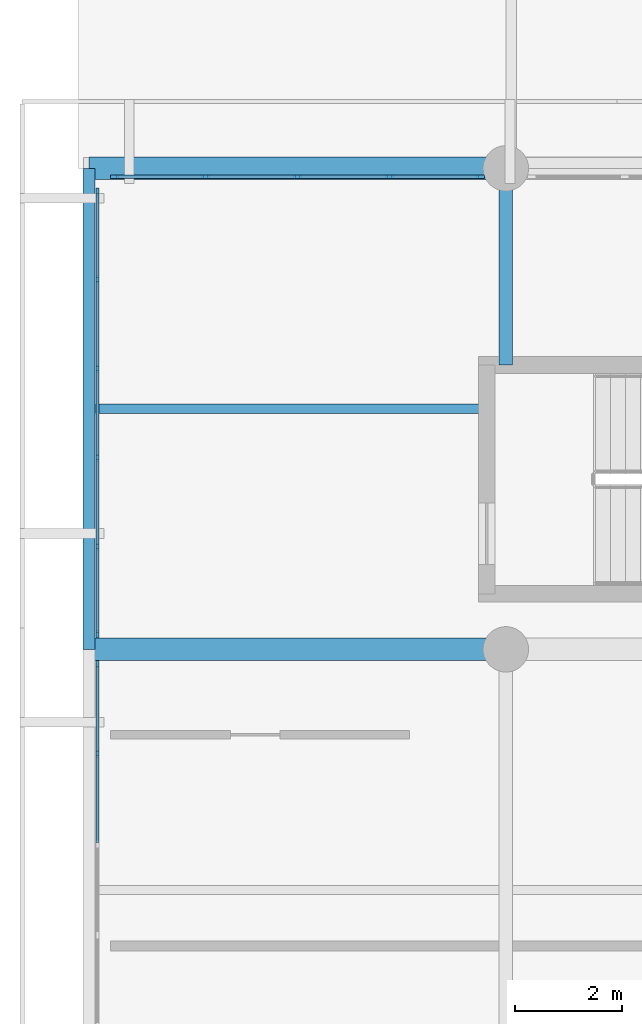
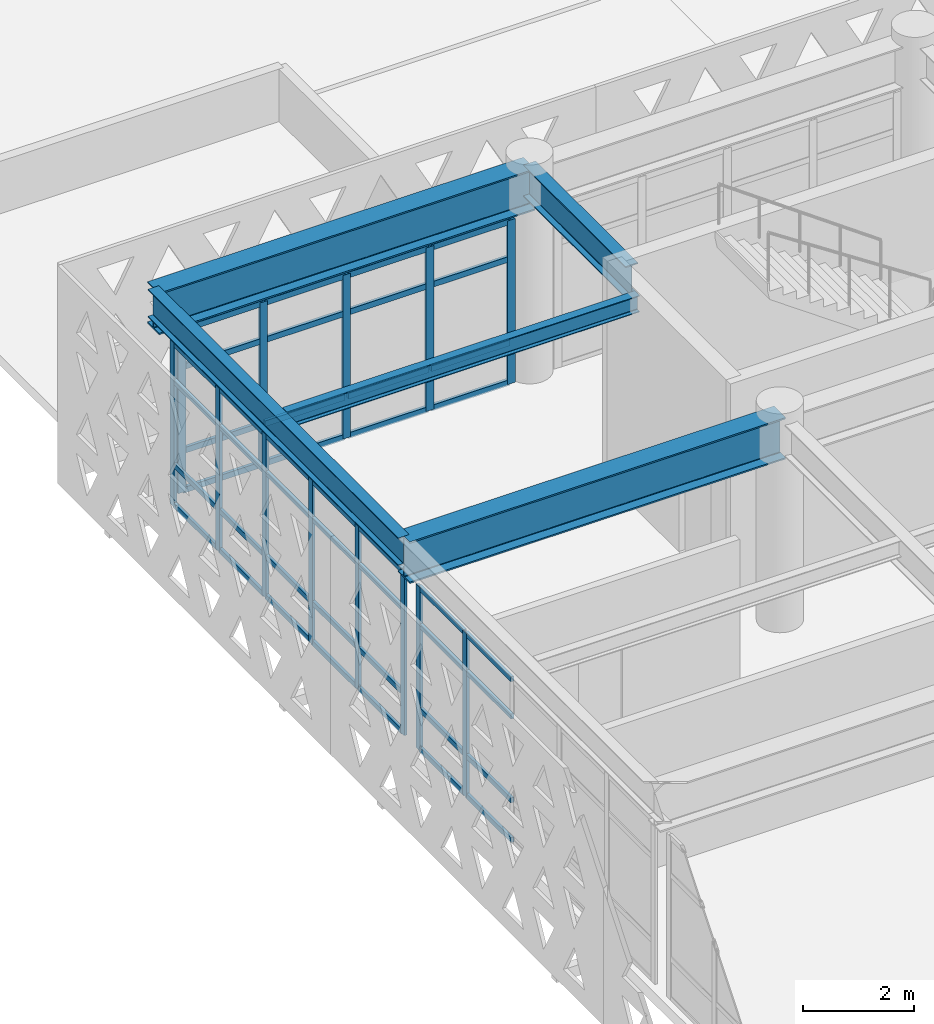
# One storey, part 9 of 54: 57 members, 5 beams, 3 elements without a shape of their own.
"""IFC4 building model written with IfcOpenShell, lengths in metres."""

from ifc_helpers import new_model, si_unit, direction, frame, origin, origin_2d, place, context, subcontext, project, spatial, rectangle, i_section, extrude, material, layer, layer_set, material_profile, profile_set, type_object, element, aggregate, save


model = new_model("IFC4")

# Units and contexts
model_context = context("Model", 3, precision=1e-05, world=origin(), true_north=direction((0.0, 1.0)))
body_context = subcontext(model_context, "Body", "Model", "MODEL_VIEW")
ifc_project = project(units=[si_unit("LENGTHUNIT", "METRE"), si_unit("AREAUNIT", "SQUARE_METRE"), si_unit("VOLUMEUNIT", "CUBIC_METRE"), si_unit("PLANEANGLEUNIT", "RADIAN"), si_unit("MASSUNIT", "GRAM", prefix="KILO")], contexts=[model_context])

# Site, building, storey
site_placement = place(None, origin())
site = spatial("IfcSite", under=ifc_project, at=site_placement, CompositionType="ELEMENT")
building_placement = place(site_placement, origin())
building = spatial("IfcBuilding", under=site, at=building_placement, Name="Tlacozan Convention Centre", CompositionType="ELEMENT")
storey_placement = place(building_placement, frame((0.0, 0.0, 11.39990234375)))
storey = spatial("IfcBuildingStorey", under=building, at=storey_placement, Name="L02", CompositionType="ELEMENT", Elevation=11.39990234375)

# Beams
ifc_material_1 = material(Name="Steel ASTM A992 Grade 50", Category="steel")
ifc_material_profile_1 = material_profile(ifc_material_1, i_section(OverallWidth=0.41796875, OverallDepth=0.912109375, WebThickness=0.019287109375, FlangeThickness=0.031982421875, FilletRadius=0.02001953125, at=origin_2d()), Name="IR 914x342.0")
ifc_profile_set_1 = profile_set([ifc_material_profile_1], Name="Steel ASTM A992 Grade 50")
beam_type_1 = type_object("IfcBeamType", Name="Cantilever Girder IR 914x342", PredefinedType="BEAM", material=ifc_profile_set_1)
for number, where, z_axis, x_axis, name in (
    (1, (8.0, 18.0, 4.093994140625), (-1.0, 0.0, 0.0), (0.0, -1.0, 0.0), "L02 Cantilever Girder IR 914x342 457"),
    (2, (8.0, 27.0, 4.093994140625), (-1.0, 0.0, 0.0), (0.0, -1.0, 0.0), "L02 Cantilever Girder IR 914x342 461"),
):
    element("IfcBeam", number, at=place(storey_placement, frame(where, z_axis=z_axis, x_axis=x_axis)), inside=storey, type_object=beam_type_1, Name=name, PredefinedType="BEAM", context=body_context, shape_type="SweptSolid", body=[
        extrude(i_section(OverallWidth=0.41796875, OverallDepth=0.912109375, WebThickness=0.019287109375, FlangeThickness=0.031982421875, FilletRadius=0.02001953125, at=origin_2d()), origin(), (0.0, 0.0, 1.0), 7.800048828125),
    ])

# Curtain wall, members
ifc_material_2 = material(Name="Dark Bronze Anodised Aluminium", Category="aluminium")
ifc_layer_1 = layer(ifc_material_2, 0.159912109375)
ifc_layer_set_1 = layer_set([ifc_layer_1], Name="Dark Bronze Anodised Aluminium")
curtain_wall_type_1 = type_object("IfcCurtainWallType", Name="Unitised Congress Gable End CW06", PredefinedType="NOTDEFINED", material=ifc_layer_set_1)
curtain_wall_1_placement = place(storey_placement, origin())
curtain_wall_1 = element("IfcCurtainWall", 3, at=curtain_wall_1_placement, inside=storey, type_object=curtain_wall_type_1, Name="L02 CW-06 Run 98", PredefinedType="NOTDEFINED")
ifc_material_profile_2 = material_profile(ifc_material_2, rectangle(XDim=0.06005859375, YDim=0.139892578125, at=origin_2d()), Name="ALU 60x140")
ifc_profile_set_2 = profile_set([ifc_material_profile_2], Name="Dark Bronze Anodised Aluminium")
member_type_1 = type_object("IfcMemberType", Name="Curtain Wall Light Mullion 60x140", PredefinedType="MULLION", material=ifc_profile_set_2)
member_1_placement = place(storey_placement, frame((0.360107421875, 16.050048828125, 0.0), z_axis=(0.0, 0.0, 1.0), x_axis=(-1.0, 0.0, 0.0)))
member_1 = element("IfcMember", 4, at=member_1_placement, type_object=member_type_1, Name="CW-06 mullion 5", PredefinedType="MULLION", context=body_context, shape_type="SweptSolid", body=[
    extrude(rectangle(XDim=0.06005859375, YDim=0.139892578125, at=origin_2d()), origin(), (0.0, 0.0, 1.0), 3.590087890625),
])
member_2_placement = place(storey_placement, frame((0.360107421875, 17.719970703125, 0.0), z_axis=(0.0, 0.0, 1.0), x_axis=(-1.0, 0.0, 0.0)))
member_2 = element("IfcMember", 5, at=member_2_placement, type_object=member_type_1, Name="CW-06 mullion 6", PredefinedType="MULLION", context=body_context, shape_type="SweptSolid", body=[
    extrude(rectangle(XDim=0.06005859375, YDim=0.139892578125, at=origin_2d()), origin(), (0.0, 0.0, 1.0), 3.590087890625),
])

curtain_wall_2_placement = place(storey_placement, origin())
curtain_wall_2 = element("IfcCurtainWall", 6, at=curtain_wall_2_placement, inside=storey, type_object=curtain_wall_type_1, Name="L02 CW-06 Run 100", PredefinedType="NOTDEFINED")
member_3_placement = place(storey_placement, frame((0.360107421875, 18.280029296875, 0.0), z_axis=(0.0, 0.0, 1.0), x_axis=(-1.0, 0.0, 0.0)))
member_3 = element("IfcMember", 7, at=member_3_placement, type_object=member_type_1, Name="CW-06 mullion 1", PredefinedType="MULLION", context=body_context, shape_type="SweptSolid", body=[
    extrude(rectangle(XDim=0.06005859375, YDim=0.139892578125, at=origin_2d()), origin(), (0.0, 0.0, 1.0), 3.590087890625),
])
member_4_placement = place(storey_placement, frame((0.360107421875, 19.91796875, 0.0), z_axis=(0.0, 0.0, 1.0), x_axis=(-1.0, 0.0, 0.0)))
member_4 = element("IfcMember", 8, at=member_4_placement, type_object=member_type_1, Name="CW-06 mullion 2", PredefinedType="MULLION", context=body_context, shape_type="SweptSolid", body=[
    extrude(rectangle(XDim=0.06005859375, YDim=0.139892578125, at=origin_2d()), origin(), (0.0, 0.0, 1.0), 3.590087890625),
])
member_5_placement = place(storey_placement, frame((0.360107421875, 21.5859375, 0.0), z_axis=(0.0, 0.0, 1.0), x_axis=(-1.0, 0.0, 0.0)))
member_5 = element("IfcMember", 9, at=member_5_placement, type_object=member_type_1, Name="CW-06 mullion 3", PredefinedType="MULLION", context=body_context, shape_type="SweptSolid", body=[
    extrude(rectangle(XDim=0.06005859375, YDim=0.139892578125, at=origin_2d()), origin(), (0.0, 0.0, 1.0), 3.590087890625),
])
member_6_placement = place(storey_placement, frame((0.360107421875, 23.25390625, 0.0), z_axis=(0.0, 0.0, 1.0), x_axis=(-1.0, 0.0, 0.0)))
member_6 = element("IfcMember", 10, at=member_6_placement, type_object=member_type_1, Name="CW-06 mullion 4", PredefinedType="MULLION", context=body_context, shape_type="SweptSolid", body=[
    extrude(rectangle(XDim=0.06005859375, YDim=0.139892578125, at=origin_2d()), origin(), (0.0, 0.0, 1.0), 3.590087890625),
])
member_7_placement = place(storey_placement, frame((0.360107421875, 24.922119140625, 0.0), z_axis=(0.0, 0.0, 1.0), x_axis=(-1.0, 0.0, 0.0)))
member_7 = element("IfcMember", 11, at=member_7_placement, type_object=member_type_1, Name="CW-06 mullion 5", PredefinedType="MULLION", context=body_context, shape_type="SweptSolid", body=[
    extrude(rectangle(XDim=0.06005859375, YDim=0.139892578125, at=origin_2d()), origin(), (0.0, 0.0, 1.0), 3.590087890625),
])
member_8_placement = place(storey_placement, frame((0.360107421875, 26.56005859375, 0.0), z_axis=(0.0, 0.0, 1.0), x_axis=(-1.0, 0.0, 0.0)))
member_8 = element("IfcMember", 12, at=member_8_placement, type_object=member_type_1, Name="CW-06 mullion 6", PredefinedType="MULLION", context=body_context, shape_type="SweptSolid", body=[
    extrude(rectangle(XDim=0.06005859375, YDim=0.139892578125, at=origin_2d()), origin(), (0.0, 0.0, 1.0), 3.590087890625),
])

# Member
ifc_material_profile_3 = material_profile(ifc_material_2, rectangle(XDim=0.06005859375, YDim=0.110107421875, at=origin_2d()), Name="ALU 60x110")
ifc_profile_set_3 = profile_set([ifc_material_profile_3], Name="Dark Bronze Anodised Aluminium")
member_type_2 = type_object("IfcMemberType", Name="Curtain Wall Light Transom 60x110", PredefinedType="USERDEFINED", material=ifc_profile_set_3)
member_9_placement = place(storey_placement, frame((0.360107421875, 14.3798828125, 0.030029296875), z_axis=(0.0, 1.0, 0.0), x_axis=(-1.0, 0.0, 0.0)))
member_9 = element("IfcMember", 13, at=member_9_placement, type_object=member_type_2, Name="CW-06 transom 4.1", ObjectType="TRANSOM", PredefinedType="USERDEFINED", context=body_context, shape_type="SweptSolid", body=[
    extrude(rectangle(XDim=0.06005859375, YDim=0.110107421875, at=origin_2d()), origin(), (0.0, 0.0, 1.0), 1.64013671875),
])

member_10_placement = place(storey_placement, frame((0.360107421875, 14.3798828125, 0.900146484375), z_axis=(0.0, 1.0, 0.0), x_axis=(-1.0, 0.0, 0.0)))
member_10 = element("IfcMember", 14, at=member_10_placement, type_object=member_type_2, Name="CW-06 transom 4.2", ObjectType="TRANSOM", PredefinedType="USERDEFINED", context=body_context, shape_type="SweptSolid", body=[
    extrude(rectangle(XDim=0.06005859375, YDim=0.110107421875, at=origin_2d()), origin(), (0.0, 0.0, 1.0), 1.64013671875),
])

member_11_placement = place(storey_placement, frame((0.360107421875, 14.3798828125, 2.739990234375), z_axis=(0.0, 1.0, 0.0), x_axis=(-1.0, 0.0, 0.0)))
member_11 = element("IfcMember", 15, at=member_11_placement, type_object=member_type_2, Name="CW-06 transom 4.3", ObjectType="TRANSOM", PredefinedType="USERDEFINED", context=body_context, shape_type="SweptSolid", body=[
    extrude(rectangle(XDim=0.06005859375, YDim=0.110107421875, at=origin_2d()), origin(), (0.0, 0.0, 1.0), 1.64013671875),
])

member_12_placement = place(storey_placement, frame((0.360107421875, 14.3798828125, 3.56005859375), z_axis=(0.0, 1.0, 0.0), x_axis=(-1.0, 0.0, 0.0)))
member_12 = element("IfcMember", 16, at=member_12_placement, type_object=member_type_2, Name="CW-06 transom 4.4", ObjectType="TRANSOM", PredefinedType="USERDEFINED", context=body_context, shape_type="SweptSolid", body=[
    extrude(rectangle(XDim=0.06005859375, YDim=0.110107421875, at=origin_2d()), origin(), (0.0, 0.0, 1.0), 1.64013671875),
])

member_13_placement = place(storey_placement, frame((0.360107421875, 16.080078125, 0.030029296875), z_axis=(0.0, 1.0, 0.0), x_axis=(-1.0, 0.0, 0.0)))
member_13 = element("IfcMember", 17, at=member_13_placement, type_object=member_type_2, Name="CW-06 transom 5.1", ObjectType="TRANSOM", PredefinedType="USERDEFINED", context=body_context, shape_type="SweptSolid", body=[
    extrude(rectangle(XDim=0.06005859375, YDim=0.110107421875, at=origin_2d()), origin(), (0.0, 0.0, 1.0), 1.60986328125),
])

member_14_placement = place(storey_placement, frame((0.360107421875, 16.080078125, 0.900146484375), z_axis=(0.0, 1.0, 0.0), x_axis=(-1.0, 0.0, 0.0)))
member_14 = element("IfcMember", 18, at=member_14_placement, type_object=member_type_2, Name="CW-06 transom 5.2", ObjectType="TRANSOM", PredefinedType="USERDEFINED", context=body_context, shape_type="SweptSolid", body=[
    extrude(rectangle(XDim=0.06005859375, YDim=0.110107421875, at=origin_2d()), origin(), (0.0, 0.0, 1.0), 1.60986328125),
])

member_15_placement = place(storey_placement, frame((0.360107421875, 16.080078125, 2.739990234375), z_axis=(0.0, 1.0, 0.0), x_axis=(-1.0, 0.0, 0.0)))
member_15 = element("IfcMember", 19, at=member_15_placement, type_object=member_type_2, Name="CW-06 transom 5.3", ObjectType="TRANSOM", PredefinedType="USERDEFINED", context=body_context, shape_type="SweptSolid", body=[
    extrude(rectangle(XDim=0.06005859375, YDim=0.110107421875, at=origin_2d()), origin(), (0.0, 0.0, 1.0), 1.60986328125),
])

member_16_placement = place(storey_placement, frame((0.360107421875, 16.080078125, 3.56005859375), z_axis=(0.0, 1.0, 0.0), x_axis=(-1.0, 0.0, 0.0)))
member_16 = element("IfcMember", 20, at=member_16_placement, type_object=member_type_2, Name="CW-06 transom 5.4", ObjectType="TRANSOM", PredefinedType="USERDEFINED", context=body_context, shape_type="SweptSolid", body=[
    extrude(rectangle(XDim=0.06005859375, YDim=0.110107421875, at=origin_2d()), origin(), (0.0, 0.0, 1.0), 1.60986328125),
])

aggregate(curtain_wall_1, [member_1, member_2, member_9, member_10, member_11, member_12, member_13, member_14, member_15, member_16])

member_17_placement = place(storey_placement, frame((0.360107421875, 18.31005859375, 0.030029296875), z_axis=(0.0, 1.0, 0.0), x_axis=(-1.0, 0.0, 0.0)))
member_17 = element("IfcMember", 21, at=member_17_placement, type_object=member_type_2, Name="CW-06 transom 1.1", ObjectType="TRANSOM", PredefinedType="USERDEFINED", context=body_context, shape_type="SweptSolid", body=[
    extrude(rectangle(XDim=0.06005859375, YDim=0.110107421875, at=origin_2d()), origin(), (0.0, 0.0, 1.0), 1.577880859375),
])

member_18_placement = place(storey_placement, frame((0.360107421875, 18.31005859375, 0.900146484375), z_axis=(0.0, 1.0, 0.0), x_axis=(-1.0, 0.0, 0.0)))
member_18 = element("IfcMember", 22, at=member_18_placement, type_object=member_type_2, Name="CW-06 transom 1.2", ObjectType="TRANSOM", PredefinedType="USERDEFINED", context=body_context, shape_type="SweptSolid", body=[
    extrude(rectangle(XDim=0.06005859375, YDim=0.110107421875, at=origin_2d()), origin(), (0.0, 0.0, 1.0), 1.577880859375),
])

member_19_placement = place(storey_placement, frame((0.360107421875, 18.31005859375, 2.739990234375), z_axis=(0.0, 1.0, 0.0), x_axis=(-1.0, 0.0, 0.0)))
member_19 = element("IfcMember", 23, at=member_19_placement, type_object=member_type_2, Name="CW-06 transom 1.3", ObjectType="TRANSOM", PredefinedType="USERDEFINED", context=body_context, shape_type="SweptSolid", body=[
    extrude(rectangle(XDim=0.06005859375, YDim=0.110107421875, at=origin_2d()), origin(), (0.0, 0.0, 1.0), 1.577880859375),
])

member_20_placement = place(storey_placement, frame((0.360107421875, 18.31005859375, 3.56005859375), z_axis=(0.0, 1.0, 0.0), x_axis=(-1.0, 0.0, 0.0)))
member_20 = element("IfcMember", 24, at=member_20_placement, type_object=member_type_2, Name="CW-06 transom 1.4", ObjectType="TRANSOM", PredefinedType="USERDEFINED", context=body_context, shape_type="SweptSolid", body=[
    extrude(rectangle(XDim=0.06005859375, YDim=0.110107421875, at=origin_2d()), origin(), (0.0, 0.0, 1.0), 1.577880859375),
])

member_21_placement = place(storey_placement, frame((0.360107421875, 19.947998046875, 0.030029296875), z_axis=(0.0, 1.0, 0.0), x_axis=(-1.0, 0.0, 0.0)))
member_21 = element("IfcMember", 25, at=member_21_placement, type_object=member_type_2, Name="CW-06 transom 2.1", ObjectType="TRANSOM", PredefinedType="USERDEFINED", context=body_context, shape_type="SweptSolid", body=[
    extrude(rectangle(XDim=0.06005859375, YDim=0.110107421875, at=origin_2d()), origin(), (0.0, 0.0, 1.0), 1.60791015625),
])

member_22_placement = place(storey_placement, frame((0.360107421875, 19.947998046875, 0.900146484375), z_axis=(0.0, 1.0, 0.0), x_axis=(-1.0, 0.0, 0.0)))
member_22 = element("IfcMember", 26, at=member_22_placement, type_object=member_type_2, Name="CW-06 transom 2.2", ObjectType="TRANSOM", PredefinedType="USERDEFINED", context=body_context, shape_type="SweptSolid", body=[
    extrude(rectangle(XDim=0.06005859375, YDim=0.110107421875, at=origin_2d()), origin(), (0.0, 0.0, 1.0), 1.60791015625),
])

member_23_placement = place(storey_placement, frame((0.360107421875, 19.947998046875, 2.739990234375), z_axis=(0.0, 1.0, 0.0), x_axis=(-1.0, 0.0, 0.0)))
member_23 = element("IfcMember", 27, at=member_23_placement, type_object=member_type_2, Name="CW-06 transom 2.3", ObjectType="TRANSOM", PredefinedType="USERDEFINED", context=body_context, shape_type="SweptSolid", body=[
    extrude(rectangle(XDim=0.06005859375, YDim=0.110107421875, at=origin_2d()), origin(), (0.0, 0.0, 1.0), 1.60791015625),
])

member_24_placement = place(storey_placement, frame((0.360107421875, 19.947998046875, 3.56005859375), z_axis=(0.0, 1.0, 0.0), x_axis=(-1.0, 0.0, 0.0)))
member_24 = element("IfcMember", 28, at=member_24_placement, type_object=member_type_2, Name="CW-06 transom 2.4", ObjectType="TRANSOM", PredefinedType="USERDEFINED", context=body_context, shape_type="SweptSolid", body=[
    extrude(rectangle(XDim=0.06005859375, YDim=0.110107421875, at=origin_2d()), origin(), (0.0, 0.0, 1.0), 1.60791015625),
])

member_25_placement = place(storey_placement, frame((0.360107421875, 21.615966796875, 0.030029296875), z_axis=(0.0, 1.0, 0.0), x_axis=(-1.0, 0.0, 0.0)))
member_25 = element("IfcMember", 29, at=member_25_placement, type_object=member_type_2, Name="CW-06 transom 3.1", ObjectType="TRANSOM", PredefinedType="USERDEFINED", context=body_context, shape_type="SweptSolid", body=[
    extrude(rectangle(XDim=0.06005859375, YDim=0.110107421875, at=origin_2d()), origin(), (0.0, 0.0, 1.0), 1.608154296875),
])

member_26_placement = place(storey_placement, frame((0.360107421875, 21.615966796875, 0.900146484375), z_axis=(0.0, 1.0, 0.0), x_axis=(-1.0, 0.0, 0.0)))
member_26 = element("IfcMember", 30, at=member_26_placement, type_object=member_type_2, Name="CW-06 transom 3.2", ObjectType="TRANSOM", PredefinedType="USERDEFINED", context=body_context, shape_type="SweptSolid", body=[
    extrude(rectangle(XDim=0.06005859375, YDim=0.110107421875, at=origin_2d()), origin(), (0.0, 0.0, 1.0), 1.608154296875),
])

member_27_placement = place(storey_placement, frame((0.360107421875, 21.615966796875, 2.739990234375), z_axis=(0.0, 1.0, 0.0), x_axis=(-1.0, 0.0, 0.0)))
member_27 = element("IfcMember", 31, at=member_27_placement, type_object=member_type_2, Name="CW-06 transom 3.3", ObjectType="TRANSOM", PredefinedType="USERDEFINED", context=body_context, shape_type="SweptSolid", body=[
    extrude(rectangle(XDim=0.06005859375, YDim=0.110107421875, at=origin_2d()), origin(), (0.0, 0.0, 1.0), 1.608154296875),
])

member_28_placement = place(storey_placement, frame((0.360107421875, 21.615966796875, 3.56005859375), z_axis=(0.0, 1.0, 0.0), x_axis=(-1.0, 0.0, 0.0)))
member_28 = element("IfcMember", 32, at=member_28_placement, type_object=member_type_2, Name="CW-06 transom 3.4", ObjectType="TRANSOM", PredefinedType="USERDEFINED", context=body_context, shape_type="SweptSolid", body=[
    extrude(rectangle(XDim=0.06005859375, YDim=0.110107421875, at=origin_2d()), origin(), (0.0, 0.0, 1.0), 1.608154296875),
])

member_29_placement = place(storey_placement, frame((0.360107421875, 23.283935546875, 0.030029296875), z_axis=(0.0, 1.0, 0.0), x_axis=(-1.0, 0.0, 0.0)))
member_29 = element("IfcMember", 33, at=member_29_placement, type_object=member_type_2, Name="CW-06 transom 4.1", ObjectType="TRANSOM", PredefinedType="USERDEFINED", context=body_context, shape_type="SweptSolid", body=[
    extrude(rectangle(XDim=0.06005859375, YDim=0.110107421875, at=origin_2d()), origin(), (0.0, 0.0, 1.0), 1.608154296875),
])

member_30_placement = place(storey_placement, frame((0.360107421875, 23.283935546875, 0.900146484375), z_axis=(0.0, 1.0, 0.0), x_axis=(-1.0, 0.0, 0.0)))
member_30 = element("IfcMember", 34, at=member_30_placement, type_object=member_type_2, Name="CW-06 transom 4.2", ObjectType="TRANSOM", PredefinedType="USERDEFINED", context=body_context, shape_type="SweptSolid", body=[
    extrude(rectangle(XDim=0.06005859375, YDim=0.110107421875, at=origin_2d()), origin(), (0.0, 0.0, 1.0), 1.608154296875),
])

member_31_placement = place(storey_placement, frame((0.360107421875, 23.283935546875, 2.739990234375), z_axis=(0.0, 1.0, 0.0), x_axis=(-1.0, 0.0, 0.0)))
member_31 = element("IfcMember", 35, at=member_31_placement, type_object=member_type_2, Name="CW-06 transom 4.3", ObjectType="TRANSOM", PredefinedType="USERDEFINED", context=body_context, shape_type="SweptSolid", body=[
    extrude(rectangle(XDim=0.06005859375, YDim=0.110107421875, at=origin_2d()), origin(), (0.0, 0.0, 1.0), 1.608154296875),
])

member_32_placement = place(storey_placement, frame((0.360107421875, 23.283935546875, 3.56005859375), z_axis=(0.0, 1.0, 0.0), x_axis=(-1.0, 0.0, 0.0)))
member_32 = element("IfcMember", 36, at=member_32_placement, type_object=member_type_2, Name="CW-06 transom 4.4", ObjectType="TRANSOM", PredefinedType="USERDEFINED", context=body_context, shape_type="SweptSolid", body=[
    extrude(rectangle(XDim=0.06005859375, YDim=0.110107421875, at=origin_2d()), origin(), (0.0, 0.0, 1.0), 1.608154296875),
])

member_33_placement = place(storey_placement, frame((0.360107421875, 24.951904296875, 0.030029296875), z_axis=(0.0, 1.0, 0.0), x_axis=(-1.0, 0.0, 0.0)))
member_33 = element("IfcMember", 37, at=member_33_placement, type_object=member_type_2, Name="CW-06 transom 5.1", ObjectType="TRANSOM", PredefinedType="USERDEFINED", context=body_context, shape_type="SweptSolid", body=[
    extrude(rectangle(XDim=0.06005859375, YDim=0.110107421875, at=origin_2d()), origin(), (0.0, 0.0, 1.0), 1.578125),
])

member_34_placement = place(storey_placement, frame((0.360107421875, 24.951904296875, 0.900146484375), z_axis=(0.0, 1.0, 0.0), x_axis=(-1.0, 0.0, 0.0)))
member_34 = element("IfcMember", 38, at=member_34_placement, type_object=member_type_2, Name="CW-06 transom 5.2", ObjectType="TRANSOM", PredefinedType="USERDEFINED", context=body_context, shape_type="SweptSolid", body=[
    extrude(rectangle(XDim=0.06005859375, YDim=0.110107421875, at=origin_2d()), origin(), (0.0, 0.0, 1.0), 1.578125),
])

member_35_placement = place(storey_placement, frame((0.360107421875, 24.951904296875, 2.739990234375), z_axis=(0.0, 1.0, 0.0), x_axis=(-1.0, 0.0, 0.0)))
member_35 = element("IfcMember", 39, at=member_35_placement, type_object=member_type_2, Name="CW-06 transom 5.3", ObjectType="TRANSOM", PredefinedType="USERDEFINED", context=body_context, shape_type="SweptSolid", body=[
    extrude(rectangle(XDim=0.06005859375, YDim=0.110107421875, at=origin_2d()), origin(), (0.0, 0.0, 1.0), 1.578125),
])

member_36_placement = place(storey_placement, frame((0.360107421875, 24.951904296875, 3.56005859375), z_axis=(0.0, 1.0, 0.0), x_axis=(-1.0, 0.0, 0.0)))
member_36 = element("IfcMember", 40, at=member_36_placement, type_object=member_type_2, Name="CW-06 transom 5.4", ObjectType="TRANSOM", PredefinedType="USERDEFINED", context=body_context, shape_type="SweptSolid", body=[
    extrude(rectangle(XDim=0.06005859375, YDim=0.110107421875, at=origin_2d()), origin(), (0.0, 0.0, 1.0), 1.578125),
])

aggregate(curtain_wall_2, [member_3, member_4, member_5, member_6, member_7, member_8, member_17, member_18, member_19, member_20, member_21, member_22, member_23, member_24, member_25, member_26, member_27, member_28, member_29, member_30, member_31, member_32, member_33, member_34, member_35, member_36])

# Curtain wall, members
ifc_layer_2 = layer(ifc_material_2, 0.159912109375)
ifc_layer_set_2 = layer_set([ifc_layer_2], Name="Dark Bronze Anodised Aluminium")
curtain_wall_type_2 = type_object("IfcCurtainWallType", Name="Unitised Congress L02 South CW03", PredefinedType="NOTDEFINED", material=ifc_layer_set_2)
curtain_wall_3_placement = place(storey_placement, origin())
curtain_wall_3 = element("IfcCurtainWall", 41, at=curtain_wall_3_placement, inside=storey, type_object=curtain_wall_type_2, Name="L02 CW-03 Run 93", PredefinedType="NOTDEFINED")
ifc_material_profile_4 = material_profile(ifc_material_2, rectangle(XDim=0.06494140625, YDim=0.159912109375, at=origin_2d()), Name="ALU 65x160")
ifc_profile_set_4 = profile_set([ifc_material_profile_4], Name="Dark Bronze Anodised Aluminium")
member_type_3 = type_object("IfcMemberType", Name="Curtain Wall Mullion 65x160", PredefinedType="MULLION", material=ifc_profile_set_4)
member_37_placement = place(storey_placement, frame((0.6826171875, 26.840087890625, 0.0), z_axis=(0.0, 0.0, 1.0), x_axis=(0.0, 1.0, 0.0)))
member_37 = element("IfcMember", 42, at=member_37_placement, type_object=member_type_3, Name="CW-03 mullion 1", PredefinedType="MULLION", context=body_context, shape_type="SweptSolid", body=[
    extrude(rectangle(XDim=0.06494140625, YDim=0.159912109375, at=origin_2d()), origin(), (0.0, 0.0, 1.0), 3.590087890625),
])
member_38_placement = place(storey_placement, frame((2.375, 26.840087890625, 0.0), z_axis=(0.0, 0.0, 1.0), x_axis=(0.0, 1.0, 0.0)))
member_38 = element("IfcMember", 43, at=member_38_placement, type_object=member_type_3, Name="CW-03 mullion 2", PredefinedType="MULLION", context=body_context, shape_type="SweptSolid", body=[
    extrude(rectangle(XDim=0.06494140625, YDim=0.159912109375, at=origin_2d()), origin(), (0.0, 0.0, 1.0), 3.590087890625),
])
member_39_placement = place(storey_placement, frame((4.10009765625, 26.840087890625, 0.0), z_axis=(0.0, 0.0, 1.0), x_axis=(0.0, 1.0, 0.0)))
member_39 = element("IfcMember", 44, at=member_39_placement, type_object=member_type_3, Name="CW-03 mullion 3", PredefinedType="MULLION", context=body_context, shape_type="SweptSolid", body=[
    extrude(rectangle(XDim=0.06494140625, YDim=0.159912109375, at=origin_2d()), origin(), (0.0, 0.0, 1.0), 3.590087890625),
])
member_40_placement = place(storey_placement, frame((5.824951171875, 26.840087890625, 0.0), z_axis=(0.0, 0.0, 1.0), x_axis=(0.0, 1.0, 0.0)))
member_40 = element("IfcMember", 45, at=member_40_placement, type_object=member_type_3, Name="CW-03 mullion 4", PredefinedType="MULLION", context=body_context, shape_type="SweptSolid", body=[
    extrude(rectangle(XDim=0.06494140625, YDim=0.159912109375, at=origin_2d()), origin(), (0.0, 0.0, 1.0), 3.590087890625),
])
member_41_placement = place(storey_placement, frame((7.517578125, 26.840087890625, 0.0), z_axis=(0.0, 0.0, 1.0), x_axis=(0.0, 1.0, 0.0)))
member_41 = element("IfcMember", 46, at=member_41_placement, type_object=member_type_3, Name="CW-03 mullion 5", PredefinedType="MULLION", context=body_context, shape_type="SweptSolid", body=[
    extrude(rectangle(XDim=0.06494140625, YDim=0.159912109375, at=origin_2d()), origin(), (0.0, 0.0, 1.0), 3.590087890625),
])
ifc_material_profile_5 = material_profile(ifc_material_2, rectangle(XDim=0.06494140625, YDim=0.125, at=origin_2d()), Name="ALU 65x125")
ifc_profile_set_5 = profile_set([ifc_material_profile_5], Name="Dark Bronze Anodised Aluminium")
member_type_4 = type_object("IfcMemberType", Name="Curtain Wall Transom 65x125", PredefinedType="USERDEFINED", material=ifc_profile_set_5)
member_42_placement = place(storey_placement, frame((0.715087890625, 26.840087890625, 0.03271484375), z_axis=(1.0, 0.0, 0.0), x_axis=(0.0, 1.0, 0.0)))
member_42 = element("IfcMember", 47, at=member_42_placement, type_object=member_type_4, Name="CW-03 transom 1.1", ObjectType="TRANSOM", PredefinedType="USERDEFINED", context=body_context, shape_type="SweptSolid", body=[
    extrude(rectangle(XDim=0.06494140625, YDim=0.125, at=origin_2d()), origin(), (0.0, 0.0, 1.0), 1.62744140625),
])
member_43_placement = place(storey_placement, frame((0.715087890625, 26.840087890625, 0.900146484375), z_axis=(1.0, 0.0, 0.0), x_axis=(0.0, 1.0, 0.0)))
member_43 = element("IfcMember", 48, at=member_43_placement, type_object=member_type_4, Name="CW-03 transom 1.2", ObjectType="TRANSOM", PredefinedType="USERDEFINED", context=body_context, shape_type="SweptSolid", body=[
    extrude(rectangle(XDim=0.06494140625, YDim=0.125, at=origin_2d()), origin(), (0.0, 0.0, 1.0), 1.62744140625),
])
member_44_placement = place(storey_placement, frame((0.715087890625, 26.840087890625, 2.739990234375), z_axis=(1.0, 0.0, 0.0), x_axis=(0.0, 1.0, 0.0)))
member_44 = element("IfcMember", 49, at=member_44_placement, type_object=member_type_4, Name="CW-03 transom 1.3", ObjectType="TRANSOM", PredefinedType="USERDEFINED", context=body_context, shape_type="SweptSolid", body=[
    extrude(rectangle(XDim=0.06494140625, YDim=0.125, at=origin_2d()), origin(), (0.0, 0.0, 1.0), 1.62744140625),
])
member_45_placement = place(storey_placement, frame((0.715087890625, 26.840087890625, 3.5576171875), z_axis=(1.0, 0.0, 0.0), x_axis=(0.0, 1.0, 0.0)))
member_45 = element("IfcMember", 50, at=member_45_placement, type_object=member_type_4, Name="CW-03 transom 1.4", ObjectType="TRANSOM", PredefinedType="USERDEFINED", context=body_context, shape_type="SweptSolid", body=[
    extrude(rectangle(XDim=0.06494140625, YDim=0.125, at=origin_2d()), origin(), (0.0, 0.0, 1.0), 1.62744140625),
])
member_46_placement = place(storey_placement, frame((2.407470703125, 26.840087890625, 0.03271484375), z_axis=(1.0, 0.0, 0.0), x_axis=(0.0, 1.0, 0.0)))
member_46 = element("IfcMember", 51, at=member_46_placement, type_object=member_type_4, Name="CW-03 transom 2.1", ObjectType="TRANSOM", PredefinedType="USERDEFINED", context=body_context, shape_type="SweptSolid", body=[
    extrude(rectangle(XDim=0.06494140625, YDim=0.125, at=origin_2d()), origin(), (0.0, 0.0, 1.0), 1.659912109375),
])
member_47_placement = place(storey_placement, frame((2.407470703125, 26.840087890625, 0.900146484375), z_axis=(1.0, 0.0, 0.0), x_axis=(0.0, 1.0, 0.0)))
member_47 = element("IfcMember", 52, at=member_47_placement, type_object=member_type_4, Name="CW-03 transom 2.2", ObjectType="TRANSOM", PredefinedType="USERDEFINED", context=body_context, shape_type="SweptSolid", body=[
    extrude(rectangle(XDim=0.06494140625, YDim=0.125, at=origin_2d()), origin(), (0.0, 0.0, 1.0), 1.659912109375),
])
member_48_placement = place(storey_placement, frame((2.407470703125, 26.840087890625, 2.739990234375), z_axis=(1.0, 0.0, 0.0), x_axis=(0.0, 1.0, 0.0)))
member_48 = element("IfcMember", 53, at=member_48_placement, type_object=member_type_4, Name="CW-03 transom 2.3", ObjectType="TRANSOM", PredefinedType="USERDEFINED", context=body_context, shape_type="SweptSolid", body=[
    extrude(rectangle(XDim=0.06494140625, YDim=0.125, at=origin_2d()), origin(), (0.0, 0.0, 1.0), 1.659912109375),
])
member_49_placement = place(storey_placement, frame((2.407470703125, 26.840087890625, 3.5576171875), z_axis=(1.0, 0.0, 0.0), x_axis=(0.0, 1.0, 0.0)))
member_49 = element("IfcMember", 54, at=member_49_placement, type_object=member_type_4, Name="CW-03 transom 2.4", ObjectType="TRANSOM", PredefinedType="USERDEFINED", context=body_context, shape_type="SweptSolid", body=[
    extrude(rectangle(XDim=0.06494140625, YDim=0.125, at=origin_2d()), origin(), (0.0, 0.0, 1.0), 1.659912109375),
])
member_50_placement = place(storey_placement, frame((4.132568359375, 26.840087890625, 0.03271484375), z_axis=(1.0, 0.0, 0.0), x_axis=(0.0, 1.0, 0.0)))
member_50 = element("IfcMember", 55, at=member_50_placement, type_object=member_type_4, Name="CW-03 transom 3.1", ObjectType="TRANSOM", PredefinedType="USERDEFINED", context=body_context, shape_type="SweptSolid", body=[
    extrude(rectangle(XDim=0.06494140625, YDim=0.125, at=origin_2d()), origin(), (0.0, 0.0, 1.0), 1.659912109375),
])
member_51_placement = place(storey_placement, frame((4.132568359375, 26.840087890625, 0.900146484375), z_axis=(1.0, 0.0, 0.0), x_axis=(0.0, 1.0, 0.0)))
member_51 = element("IfcMember", 56, at=member_51_placement, type_object=member_type_4, Name="CW-03 transom 3.2", ObjectType="TRANSOM", PredefinedType="USERDEFINED", context=body_context, shape_type="SweptSolid", body=[
    extrude(rectangle(XDim=0.06494140625, YDim=0.125, at=origin_2d()), origin(), (0.0, 0.0, 1.0), 1.659912109375),
])
member_52_placement = place(storey_placement, frame((4.132568359375, 26.840087890625, 2.739990234375), z_axis=(1.0, 0.0, 0.0), x_axis=(0.0, 1.0, 0.0)))
member_52 = element("IfcMember", 57, at=member_52_placement, type_object=member_type_4, Name="CW-03 transom 3.3", ObjectType="TRANSOM", PredefinedType="USERDEFINED", context=body_context, shape_type="SweptSolid", body=[
    extrude(rectangle(XDim=0.06494140625, YDim=0.125, at=origin_2d()), origin(), (0.0, 0.0, 1.0), 1.659912109375),
])
member_53_placement = place(storey_placement, frame((4.132568359375, 26.840087890625, 3.5576171875), z_axis=(1.0, 0.0, 0.0), x_axis=(0.0, 1.0, 0.0)))
member_53 = element("IfcMember", 58, at=member_53_placement, type_object=member_type_4, Name="CW-03 transom 3.4", ObjectType="TRANSOM", PredefinedType="USERDEFINED", context=body_context, shape_type="SweptSolid", body=[
    extrude(rectangle(XDim=0.06494140625, YDim=0.125, at=origin_2d()), origin(), (0.0, 0.0, 1.0), 1.659912109375),
])
member_54_placement = place(storey_placement, frame((5.857421875, 26.840087890625, 0.03271484375), z_axis=(1.0, 0.0, 0.0), x_axis=(0.0, 1.0, 0.0)))
member_54 = element("IfcMember", 59, at=member_54_placement, type_object=member_type_4, Name="CW-03 transom 4.1", ObjectType="TRANSOM", PredefinedType="USERDEFINED", context=body_context, shape_type="SweptSolid", body=[
    extrude(rectangle(XDim=0.06494140625, YDim=0.125, at=origin_2d()), origin(), (0.0, 0.0, 1.0), 1.627685546875),
])
member_55_placement = place(storey_placement, frame((5.857421875, 26.840087890625, 0.900146484375), z_axis=(1.0, 0.0, 0.0), x_axis=(0.0, 1.0, 0.0)))
member_55 = element("IfcMember", 60, at=member_55_placement, type_object=member_type_4, Name="CW-03 transom 4.2", ObjectType="TRANSOM", PredefinedType="USERDEFINED", context=body_context, shape_type="SweptSolid", body=[
    extrude(rectangle(XDim=0.06494140625, YDim=0.125, at=origin_2d()), origin(), (0.0, 0.0, 1.0), 1.627685546875),
])
member_56_placement = place(storey_placement, frame((5.857421875, 26.840087890625, 2.739990234375), z_axis=(1.0, 0.0, 0.0), x_axis=(0.0, 1.0, 0.0)))
member_56 = element("IfcMember", 61, at=member_56_placement, type_object=member_type_4, Name="CW-03 transom 4.3", ObjectType="TRANSOM", PredefinedType="USERDEFINED", context=body_context, shape_type="SweptSolid", body=[
    extrude(rectangle(XDim=0.06494140625, YDim=0.125, at=origin_2d()), origin(), (0.0, 0.0, 1.0), 1.627685546875),
])
member_57_placement = place(storey_placement, frame((5.857421875, 26.840087890625, 3.5576171875), z_axis=(1.0, 0.0, 0.0), x_axis=(0.0, 1.0, 0.0)))
member_57 = element("IfcMember", 62, at=member_57_placement, type_object=member_type_4, Name="CW-03 transom 4.4", ObjectType="TRANSOM", PredefinedType="USERDEFINED", context=body_context, shape_type="SweptSolid", body=[
    extrude(rectangle(XDim=0.06494140625, YDim=0.125, at=origin_2d()), origin(), (0.0, 0.0, 1.0), 1.627685546875),
])
aggregate(curtain_wall_3, [member_37, member_38, member_39, member_40, member_41, member_42, member_43, member_44, member_45, member_46, member_47, member_48, member_49, member_50, member_51, member_52, member_53, member_54, member_55, member_56, member_57])

# Beams
ifc_material_profile_6 = material_profile(ifc_material_1, i_section(OverallWidth=0.256103515625, OverallDepth=0.693115234375, WebThickness=0.014404296875, FlangeThickness=0.023681640625, FilletRadius=0.014892578125, at=origin_2d()), Name="IR 686x170.0")
ifc_profile_set_6 = profile_set([ifc_material_profile_6], Name="Steel ASTM A992 Grade 50")
beam_type_2 = type_object("IfcBeamType", Name="Girder Steel IR 686x170", PredefinedType="BEAM", material=ifc_profile_set_6)
beam_1_placement = place(storey_placement, frame((8.0, 23.320068359375, 4.20361328125), z_axis=(0.0, 1.0, 0.0), x_axis=(-1.0, 0.0, 0.0)))
element("IfcBeam", 63, at=beam_1_placement, inside=storey, type_object=beam_type_2, Name="L02 Girder Steel IR 686x170 402", PredefinedType="BEAM", context=body_context, shape_type="SweptSolid", body=[
    extrude(i_section(OverallWidth=0.256103515625, OverallDepth=0.693115234375, WebThickness=0.014404296875, FlangeThickness=0.023681640625, FilletRadius=0.014892578125, at=origin_2d()), origin(), (0.0, 0.0, 1.0), 3.679931640625),
])
ifc_material_profile_7 = material_profile(ifc_material_1, i_section(OverallWidth=0.22900390625, OverallDepth=0.612060546875, WebThickness=0.011962890625, FlangeThickness=0.01953125, FilletRadius=0.012939453125, at=origin_2d()), Name="IR 610x125.0")
ifc_profile_set_7 = profile_set([ifc_material_profile_7], Name="Steel ASTM A992 Grade 50")
beam_type_3 = type_object("IfcBeamType", Name="Perimeter Spandrel IR 610x125", PredefinedType="SPANDREL", material=ifc_profile_set_7)
beam_2_placement = place(storey_placement, frame((0.199951171875, 18.0, 4.244140625), z_axis=(0.0, 1.0, 0.0), x_axis=(-1.0, 0.0, 0.0)))
element("IfcBeam", 64, at=beam_2_placement, inside=storey, type_object=beam_type_3, Name="L02 Perimeter Spandrel IR 610x125 444", PredefinedType="SPANDREL", context=body_context, shape_type="SweptSolid", body=[
    extrude(i_section(OverallWidth=0.22900390625, OverallDepth=0.612060546875, WebThickness=0.011962890625, FlangeThickness=0.01953125, FilletRadius=0.012939453125, at=origin_2d()), origin(), (0.0, 0.0, 1.0), 9.0),
])
ifc_material_profile_8 = material_profile(ifc_material_1, i_section(OverallWidth=0.173095703125, OverallDepth=0.364013671875, WebThickness=0.009033203125, FlangeThickness=0.015625, FilletRadius=0.010009765625, at=origin_2d()), Name="IR 356x67.1")
ifc_profile_set_8 = profile_set([ifc_material_profile_8], Name="Steel ASTM A992 Grade 50")
beam_type_4 = type_object("IfcBeamType", Name="Secondary Joist IR 356x67.1", PredefinedType="JOIST", material=ifc_profile_set_8)
beam_3_placement = place(storey_placement, frame((0.325927734375, 22.5, 4.3681640625), z_axis=(1.0, 0.0, 0.0), x_axis=(0.0, 1.0, 0.0)))
element("IfcBeam", 65, at=beam_3_placement, inside=storey, type_object=beam_type_4, Name="L02 Secondary Joist IR 356x67.1 502", PredefinedType="JOIST", context=body_context, shape_type="SweptSolid", body=[
    extrude(i_section(OverallWidth=0.173095703125, OverallDepth=0.364013671875, WebThickness=0.009033203125, FlangeThickness=0.015625, FilletRadius=0.010009765625, at=origin_2d()), origin(), (0.0, 0.0, 1.0), 7.31396484375),
])

save(model, "model.ifc")
